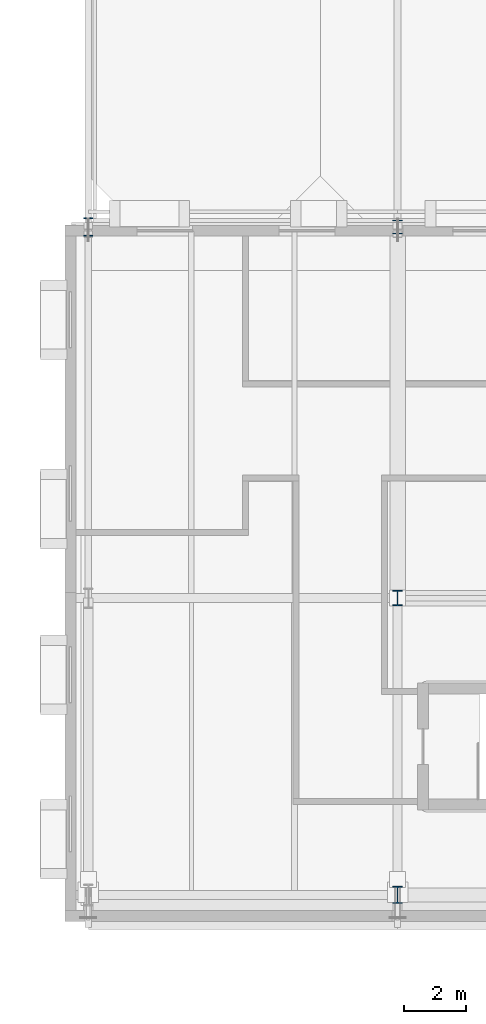
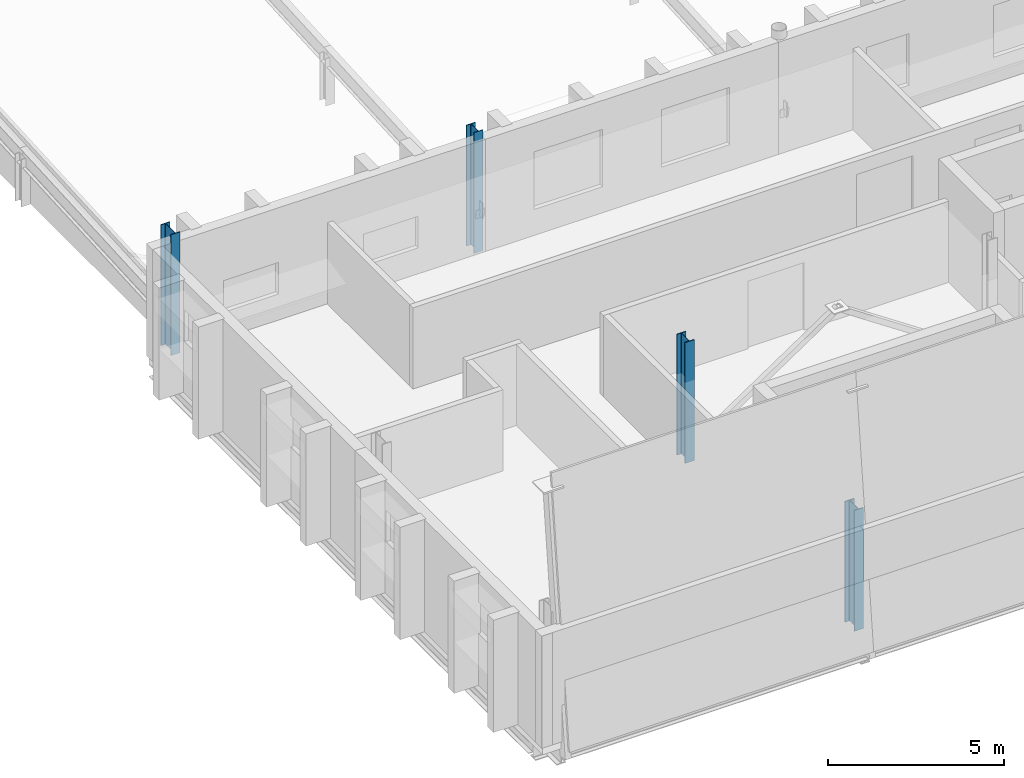
# One storey, part 8 of 57: 4 columns.
"""IFC4 building model written with IfcOpenShell, lengths in metres."""

import ifcopenshell
import ifcopenshell.guid

model = None  # the IFC model being written
_history = None  # IfcOwnerHistory: only IFC2X3 demands one
_inside = {}  # id of a spatial element -> (the spatial element, [elements in it])
_under = {}  # id of a project, library or spatial element -> (it, [spatial elements below it])
_declared = {}  # id of a project -> (the project, [libraries it declares])
_typed = {}  # id of a type object -> (the type object, [elements of that type])
_made_of = {}  # id of a material, layer set ... -> (it, [elements and type objects made of it])


def new_model(schema):
    """Start an empty IFC model of exactly this schema.

    Asked for "IFC4X3", IfcOpenShell would pick the latest addendum, in which some entities
    have other attributes; the version numbers below select the first issue.
    IFC2X3 requires an IfcOwnerHistory on every rooted entity: one is made here for all.
    """
    global model, _history
    if schema == "IFC4X3":
        model = ifcopenshell.file(schema_version=(4, 3, 0, 0))
    else:
        model = ifcopenshell.file(schema=schema)
    _inside.clear()
    _under.clear()
    _declared.clear()
    _typed.clear()
    _made_of.clear()
    _history = None
    if model.schema == "IFC2X3":
        org = make("IfcOrganization", Name="unknown")
        user = make(
            "IfcPersonAndOrganization",
            ThePerson=make("IfcPerson", FamilyName="unknown"),
            TheOrganization=org,
        )
        app = make(
            "IfcApplication",
            ApplicationDeveloper=org,
            Version="unknown",
            ApplicationFullName="unknown",
            ApplicationIdentifier="unknown",
        )
        _history = make(
            "IfcOwnerHistory",
            OwningUser=user,
            OwningApplication=app,
            ChangeAction="ADDED",
            CreationDate=0,
        )
    return model


def make(cls, **values):
    """One entity of the class cls with the attributes given. An attribute that is None is left unset."""
    return model.create_entity(
        cls, **{name: value for name, value in values.items() if value is not None}
    )


def rooted(cls, **values):
    """An entity with a GlobalId (a new one), such as an element, a storey or a relation."""
    return make(cls, GlobalId=ifcopenshell.guid.new(), OwnerHistory=_history, **values)


def si_unit(unit_type, name, prefix=None):
    """IfcSIUnit, for example si_unit("LENGTHUNIT", "METRE", prefix="MILLI")."""
    return make("IfcSIUnit", UnitType=unit_type, Prefix=prefix, Name=name)


def assignment(units):
    """IfcUnitAssignment: the units of a project."""
    return None if units is None else make("IfcUnitAssignment", Units=units)


def point(xyz):
    """IfcCartesianPoint."""
    return None if xyz is None else make("IfcCartesianPoint", Coordinates=xyz)


def direction(xyz):
    """IfcDirection."""
    return None if xyz is None else make("IfcDirection", DirectionRatios=xyz)


def frame(location, z_axis=None, x_axis=None):
    """IfcAxis2Placement3D, a coordinate frame: its origin and axes. An axis left out is left unset."""
    return make(
        "IfcAxis2Placement3D",
        Location=point(location),
        Axis=direction(z_axis),
        RefDirection=direction(x_axis),
    )


def frame_2d(location, x_axis=None):
    """IfcAxis2Placement2D, a coordinate frame in the plane: its origin and x axis."""
    return make(
        "IfcAxis2Placement2D", Location=point(location), RefDirection=direction(x_axis)
    )


def origin():
    """The frame at (0, 0, 0) with its axes left unset."""
    return frame((0.0, 0.0, 0.0))


def origin_2d():
    """The frame at (0, 0) in the plane with its x axis left unset."""
    return frame_2d((0.0, 0.0))


def place(relative_to, where):
    """IfcLocalPlacement: puts the frame where relative to a parent placement (None: the world)."""
    return make(
        "IfcLocalPlacement", PlacementRelTo=relative_to, RelativePlacement=where
    )


def context(
    kind, dimensions, precision=None, world=None, true_north=None, identifier=None
):
    """IfcGeometricRepresentationContext, for example the 3D "Model" context."""
    return make(
        "IfcGeometricRepresentationContext",
        ContextIdentifier=identifier,
        ContextType=kind,
        CoordinateSpaceDimension=dimensions,
        Precision=precision,
        WorldCoordinateSystem=world,
        TrueNorth=true_north,
    )


def subcontext(parent, identifier, kind, view, scale=None):
    """IfcGeometricRepresentationSubContext, for example "Body" below "Model"."""
    return make(
        "IfcGeometricRepresentationSubContext",
        ContextIdentifier=identifier,
        ContextType=kind,
        ParentContext=parent,
        TargetScale=scale,
        TargetView=view,
    )


def project(units=None, contexts=None):
    """IfcProject with its units and contexts."""
    return rooted(
        "IfcProject",
        Name="project",
        RepresentationContexts=contexts,
        UnitsInContext=assignment(units),
    )


def spatial(cls, under=None, at=None, **own):
    """A site, building, storey or space (cls), placed at a placement, below another one or the project."""
    s = rooted(cls, ObjectPlacement=at, **own)
    if under is not None:
        _under.setdefault(under.id(), (under, []))[1].append(s)
    return s


def profile(cls, at=None, kind="AREA", **sizes):
    """A parametric profile (cls). Its sizes go by their IFC names, for example OverallWidth=200.0."""
    return make(cls, ProfileType=kind, Position=at, **sizes)


def i_section(**sizes):
    """IfcIShapeProfileDef."""
    return profile("IfcIShapeProfileDef", **sizes)


def extrude(swept, where, along, depth):
    """IfcExtrudedAreaSolid: the profile swept, set in the frame where, extruded along a direction by depth."""
    return make(
        "IfcExtrudedAreaSolid",
        SweptArea=swept,
        Position=where,
        ExtrudedDirection=direction(along),
        Depth=depth,
    )


def shape(context_of_items, identifier, shape_type, items):
    """IfcShapeRepresentation: the items that make up one representation, for example the "Body"."""
    return make(
        "IfcShapeRepresentation",
        ContextOfItems=context_of_items,
        RepresentationIdentifier=identifier,
        RepresentationType=shape_type,
        Items=items,
    )


def material(Name=None, Category=None):
    """IfcMaterial."""
    return make("IfcMaterial", Name=Name, Category=Category)


def material_profile(
    of_material, cross_section, Name=None, Category=None, Priority=None
):
    """IfcMaterialProfile: a cross section and its material."""
    return make(
        "IfcMaterialProfile",
        Name=Name,
        Material=of_material,
        Profile=cross_section,
        Priority=Priority,
        Category=Category,
    )


def profile_set(profiles, Name=None, composite=None):
    """IfcMaterialProfileSet."""
    return make(
        "IfcMaterialProfileSet",
        Name=Name,
        MaterialProfiles=profiles,
        CompositeProfile=composite,
    )


def made_of(thing, what):
    """Note that an element or type object is made of a material, layer set ...; save() writes the relation."""
    if what is not None:
        _made_of.setdefault(what.id(), (what, []))[1].append(thing)
    return thing


def type_object(cls, material=None, **own):
    """A type object (cls), such as IfcWallType, which elements share."""
    return made_of(rooted(cls, **own), material)


def element(
    cls,
    number,
    at=None,
    inside=None,
    cuts=None,
    type_object=None,
    material=None,
    context=None,
    identifier="Body",
    shape_type=None,
    held_by="IfcProductDefinitionShape",
    body=None,
    shapes=None,
    **own,
):
    """One element of the class cls, such as IfcWall. Its Tag is "e" and its number.

    at: its placement. inside: the storey or other place that contains it. cuts: it is an
    opening in that element (IfcRelVoidsElement). A single representation is given by context,
    identifier, shape_type and body (its items); several are given by shapes. held_by: the class
    of the entity that holds the representations. save() writes the other relations.
    """
    e = rooted(cls, Tag="e%d" % number, ObjectPlacement=at, **own)
    if body is not None:
        shapes = [shape(context, identifier, shape_type, body)]
    if shapes is not None:
        e.Representation = make(held_by, Representations=shapes)
    if inside is not None:
        _inside.setdefault(inside.id(), (inside, []))[1].append(e)
    if cuts is not None:
        rooted(
            "IfcRelVoidsElement", RelatingBuildingElement=cuts, RelatedOpeningElement=e
        )
    if type_object is not None:
        _typed.setdefault(type_object.id(), (type_object, []))[1].append(e)
    return made_of(e, material)


def aggregate(whole, parts):
    """IfcRelAggregates: a whole, such as a stair, and the parts it consists of."""
    return rooted("IfcRelAggregates", RelatingObject=whole, RelatedObjects=parts)


def save(model, path):
    """Write the relations noted so far, then the file.

    IfcRelAggregates (storeys below a building ...), IfcRelContainedInSpatialStructure (elements
    in a storey), IfcRelDefinesByType, IfcRelAssociatesMaterial and IfcRelDeclares: one each for
    every whole, place, type object, material and project.
    """
    for whole, parts in _under.values():
        aggregate(whole, parts)
    for where, things in _inside.values():
        rooted(
            "IfcRelContainedInSpatialStructure",
            RelatedElements=things,
            RelatingStructure=where,
        )
    for kind, things in _typed.values():
        rooted("IfcRelDefinesByType", RelatedObjects=things, RelatingType=kind)
    for what, things in _made_of.values():
        rooted("IfcRelAssociatesMaterial", RelatedObjects=things, RelatingMaterial=what)
    for by, libraries in _declared.values():
        rooted("IfcRelDeclares", RelatingContext=by, RelatedDefinitions=libraries)
    model.write(path)


model = new_model("IFC4")

# Units and contexts
model_context = context("Model", 3, precision=1e-05, world=origin(), true_north=direction((0.0, 1.0)))
body_context = subcontext(model_context, "Body", "Model", "MODEL_VIEW")
ifc_project = project(units=[si_unit("LENGTHUNIT", "METRE"), si_unit("AREAUNIT", "SQUARE_METRE"), si_unit("VOLUMEUNIT", "CUBIC_METRE"), si_unit("PLANEANGLEUNIT", "RADIAN"), si_unit("MASSUNIT", "GRAM", prefix="KILO")], contexts=[model_context])

# Site, building, storey
site_placement = place(None, origin())
site = spatial("IfcSite", under=ifc_project, at=site_placement, CompositionType="ELEMENT")
building_placement = place(site_placement, origin())
building = spatial("IfcBuilding", under=site, at=building_placement, Name="Zereglee Splitstone Museum", CompositionType="ELEMENT")
storey_placement = place(building_placement, frame((0.0, 0.0, 17.10009765625)))
storey = spatial("IfcBuildingStorey", under=building, at=storey_placement, Name="L03", CompositionType="ELEMENT", Elevation=17.10009765625)

# Columns
ifc_material = material(Name="Steel S355J2", Category="steel")
ifc_material_profile_1 = material_profile(ifc_material, i_section(OverallWidth=0.300048828125, OverallDepth=0.449951171875, WebThickness=0.013916015625, FlangeThickness=0.02587890625, FilletRadius=0.027099609375, at=origin_2d()), Name="HE 450 B")
ifc_profile_set_1 = profile_set([ifc_material_profile_1], Name="Steel S355J2")
column_type_1 = type_object("IfcColumnType", Name="C-14", PredefinedType="COLUMN", material=ifc_profile_set_1)
column_1_placement = place(storey_placement, frame((185.199951171875, 21.60009765625, 0.0), z_axis=(0.0, 0.0, 1.0), x_axis=(1.0, 0.0, 0.0)))
element("IfcColumn", 1, at=column_1_placement, inside=storey, type_object=column_type_1, Name="Column 21/C L03", PredefinedType="COLUMN", context=body_context, shape_type="SweptSolid", body=[
    extrude(i_section(OverallWidth=0.300048828125, OverallDepth=0.449951171875, WebThickness=0.013916015625, FlangeThickness=0.02587890625, FilletRadius=0.027099609375, at=origin_2d()), origin(), (0.0, 0.0, 1.0), 4.199951171875),
])
ifc_material_profile_2 = material_profile(ifc_material, i_section(OverallWidth=0.300048828125, OverallDepth=0.5, WebThickness=0.014404296875, FlangeThickness=0.028076171875, FilletRadius=0.027099609375, at=origin_2d()), Name="HE 500 B")
ifc_profile_set_2 = profile_set([ifc_material_profile_2], Name="Steel S355J2")
column_type_2 = type_object("IfcColumnType", Name="C-13", PredefinedType="COLUMN", material=ifc_profile_set_2)
column_2_placement = place(storey_placement, frame((185.199951171875, 9.60009765625, 0.0), z_axis=(0.0, 0.0, 1.0), x_axis=(1.0, 0.0, 0.0)))
element("IfcColumn", 2, at=column_2_placement, inside=storey, type_object=column_type_2, Name="Column 21/B L03", PredefinedType="COLUMN", context=body_context, shape_type="SweptSolid", body=[
    extrude(i_section(OverallWidth=0.300048828125, OverallDepth=0.5, WebThickness=0.014404296875, FlangeThickness=0.028076171875, FilletRadius=0.027099609375, at=origin_2d()), origin(), (0.0, 0.0, 1.0), 4.199951171875),
])
ifc_material_profile_3 = material_profile(ifc_material, i_section(OverallWidth=0.300048828125, OverallDepth=0.550048828125, WebThickness=0.014892578125, FlangeThickness=0.029052734375, FilletRadius=0.027099609375, at=origin_2d()), Name="HE 550 B")
ifc_profile_set_3 = profile_set([ifc_material_profile_3], Name="Steel S355J2")
column_type_3 = type_object("IfcColumnType", Name="C-12", PredefinedType="COLUMN", material=ifc_profile_set_3)
column_3_placement = place(storey_placement, frame((185.199951171875, 0.0, 0.0), z_axis=(0.0, 0.0, 1.0), x_axis=(1.0, 0.0, 0.0)))
element("IfcColumn", 3, at=column_3_placement, inside=storey, type_object=column_type_3, Name="Column 21/A L03", PredefinedType="COLUMN", context=body_context, shape_type="SweptSolid", body=[
    extrude(i_section(OverallWidth=0.300048828125, OverallDepth=0.550048828125, WebThickness=0.014892578125, FlangeThickness=0.029052734375, FilletRadius=0.027099609375, at=origin_2d()), origin(), (0.0, 0.0, 1.0), 4.199951171875),
])
ifc_material_profile_4 = material_profile(ifc_material, i_section(OverallWidth=0.300048828125, OverallDepth=0.60009765625, WebThickness=0.015380859375, FlangeThickness=0.030029296875, FilletRadius=0.027099609375, at=origin_2d()), Name="HE 600 B")
ifc_profile_set_4 = profile_set([ifc_material_profile_4], Name="Steel S355J2")
column_type_4 = type_object("IfcColumnType", Name="C-11", PredefinedType="COLUMN", material=ifc_profile_set_4)
column_4_placement = place(storey_placement, frame((175.199951171875, 21.60009765625, 0.0), z_axis=(0.0, 0.0, 1.0), x_axis=(1.0, 0.0, 0.0)))
element("IfcColumn", 4, at=column_4_placement, inside=storey, type_object=column_type_4, Name="Column 20/C L03", PredefinedType="COLUMN", context=body_context, shape_type="SweptSolid", body=[
    extrude(i_section(OverallWidth=0.300048828125, OverallDepth=0.60009765625, WebThickness=0.015380859375, FlangeThickness=0.030029296875, FilletRadius=0.027099609375, at=origin_2d()), origin(), (0.0, 0.0, 1.0), 4.199951171875),
])

save(model, "model.ifc")
